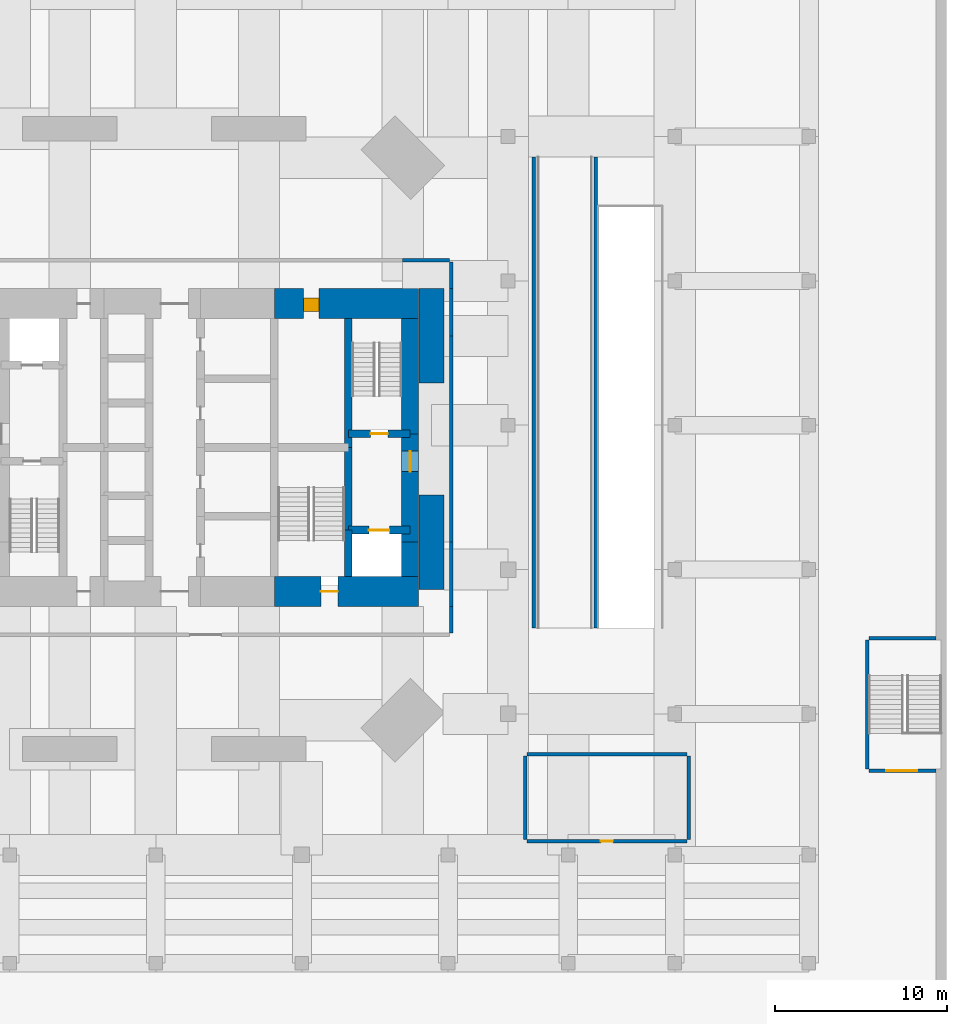
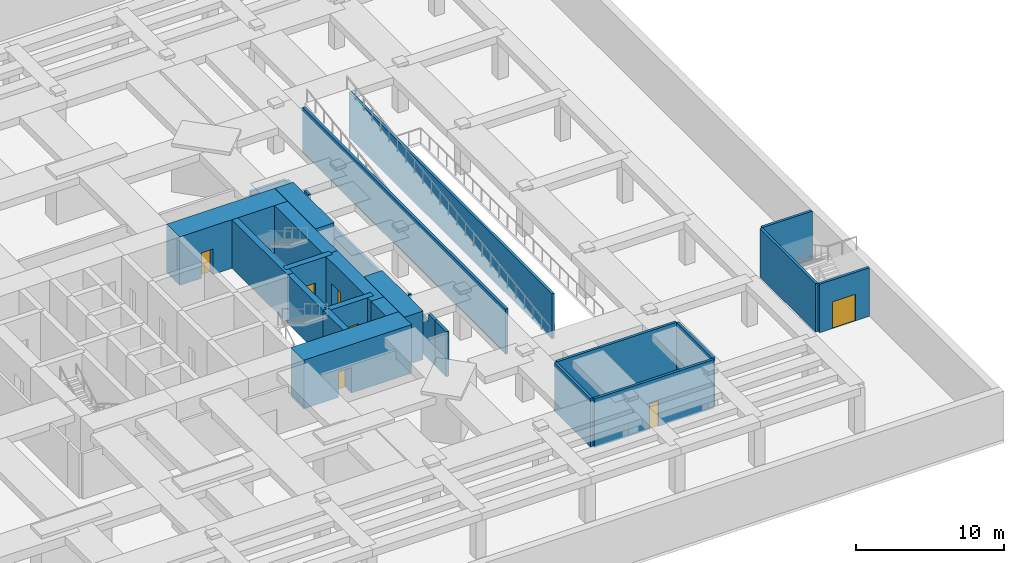
# One storey, part 7 of 10: 27 walls, 7 doors, 7 openings.
"""IFC4 building model written with IfcOpenShell, lengths in metres."""

from ifc_helpers import new_model, si_unit, direction, frame, frame_2d, origin, place, context, subcontext, project, spatial, polyline, rectangle, outline, extrude, material, layer, layer_set, constituent, constituent_set, type_object, element, fill, save


model = new_model("IFC4")

# Units and contexts
model_context = context("Model", 3, precision=1e-05, world=origin(), true_north=direction((0.0, 1.0)))
body_context = subcontext(model_context, "Body", "Model", "MODEL_VIEW")
ifc_project = project(units=[si_unit("LENGTHUNIT", "METRE"), si_unit("AREAUNIT", "SQUARE_METRE"), si_unit("VOLUMEUNIT", "CUBIC_METRE"), si_unit("PLANEANGLEUNIT", "RADIAN"), si_unit("MASSUNIT", "GRAM", prefix="KILO")], contexts=[model_context])

# Site, building, storey
site_placement = place(None, origin())
site = spatial("IfcSite", under=ifc_project, at=site_placement, CompositionType="ELEMENT")
building_placement = place(site_placement, origin())
building = spatial("IfcBuilding", under=site, at=building_placement, Name="Jalousie Tower", CompositionType="ELEMENT")
storey_placement = place(building_placement, frame((0.0, 0.0, -4.0)))
storey = spatial("IfcBuildingStorey", under=building, at=storey_placement, Name="B1", CompositionType="ELEMENT", Elevation=-4.0)

# Wall
ifc_material_1 = material(Name="Concrete f'c 120 MPa", Category="concrete")
ifc_layer_1 = layer(ifc_material_1, 1.0)
ifc_layer_set_1 = layer_set([ifc_layer_1], Name="Concrete f'c 120 MPa")
wall_type_1 = type_object("IfcWallType", Name="CORE WALL 1000", PredefinedType="SHEAR", material=ifc_layer_set_1)
wall_1_placement = place(storey_placement, frame((43.800048828125, 11.0, 0.0), z_axis=(0.0, 0.0, 1.0), x_axis=(0.0, 1.0, 0.0)))
element("IfcWall", 1, at=wall_1_placement, inside=storey, type_object=wall_type_1, Name="Core wall EA B1", PredefinedType="SHEAR", context=body_context, shape_type="SweptSolid", body=[
    extrude(rectangle(XDim=2.0, YDim=1.0, at=frame_2d((1.0, 0.0))), origin(), (0.0, 0.0, 1.0), 4.0),
])

# Wall, opening, door
wall_2_placement = place(storey_placement, frame((43.800048828125, 13.0, 0.0), z_axis=(0.0, 0.0, 1.0), x_axis=(0.0, 1.0, 0.0)))
wall_2 = element("IfcWall", 2, at=wall_2_placement, inside=storey, type_object=wall_type_1, Name="Core wall EB B1", PredefinedType="SHEAR", context=body_context, shape_type="SweptSolid", body=[
    extrude(rectangle(XDim=6.300048828125, YDim=1.0, at=frame_2d((3.14990234375, 0.0))), origin(), (0.0, 0.0, 1.0), 4.0),
])
opening_1_placement = place(wall_2_placement, frame((4.10009765625, 0.0, 0.0)))
opening_1 = element("IfcOpeningElement", 3, at=opening_1_placement, cuts=wall_2, Name="Opening D11", PredefinedType="OPENING", context=body_context, shape_type="SweptSolid", body=[
    extrude(rectangle(XDim=1.199951171875, YDim=2.199951171875, at=frame_2d((0.60009765625, 1.10009765625))), frame((0.0, 0.510009765625, 0.0), z_axis=(0.0, -1.0, 0.0), x_axis=(1.0, 0.0, 0.0)), (0.0, 0.0, 1.0), 1.02001953125),
])
ifc_material_2 = material(Name="Steel fire door", Category="steel")
door_type_1 = type_object("IfcDoorType", Name="FIRE DOOR 1200", OperationType="SINGLE_SWING_LEFT", PredefinedType="DOOR", material=ifc_material_2)
door_1_placement = place(opening_1_placement, origin())
door_1 = element("IfcDoor", 4, at=door_1_placement, inside=storey, type_object=door_type_1, Name="Fire-fighting lobby B door", OperationType="SINGLE_SWING_RIGHT", OverallHeight=2.199951171875, OverallWidth=1.199951171875, PredefinedType="DOOR", context=body_context, shape_type="SweptSolid", body=[
    extrude(rectangle(XDim=1.199951171875, YDim=2.199951171875, at=frame_2d((0.60009765625, 1.10009765625))), frame((0.0, 0.02490234375, 0.0), z_axis=(0.0, -1.0, 0.0), x_axis=(1.0, 0.0, 0.0)), (0.0, 0.0, 1.0), 0.050048828125),
])
fill(opening_1, door_1)

# Wall
wall_3_placement = place(storey_placement, frame((43.800048828125, 19.300048828125, 0.0), z_axis=(0.0, 0.0, 1.0), x_axis=(0.0, 1.0, 0.0)))
element("IfcWall", 5, at=wall_3_placement, inside=storey, type_object=wall_type_1, Name="Core wall EC B1", PredefinedType="SHEAR", context=body_context, shape_type="SweptSolid", body=[
    extrude(rectangle(XDim=6.699951171875, YDim=1.0, at=frame_2d((3.35009765625, 0.0))), origin(), (0.0, 0.0, 1.0), 4.0),
])

# Wall, opening, door
ifc_material_3 = material(Name="Concrete f'c 120 MPa", Category="concrete")
ifc_layer_2 = layer(ifc_material_3, 1.75)
ifc_layer_set_2 = layer_set([ifc_layer_2], Name="Concrete f'c 120 MPa")
wall_type_2 = type_object("IfcWallType", Name="CORE WALL 1750", PredefinedType="SHEAR", material=ifc_layer_set_2)
wall_4_placement = place(storey_placement, frame((35.89990234375, 10.125, 0.0), z_axis=(0.0, 0.0, 1.0), x_axis=(1.0, 0.0, 0.0)))
wall_4 = element("IfcWall", 6, at=wall_4_placement, inside=storey, type_object=wall_type_2, Name="Core wall SD B1", PredefinedType="SHEAR", context=body_context, shape_type="SweptSolid", body=[
    extrude(rectangle(XDim=8.400146484375, YDim=1.75, at=frame_2d((4.2001953125, 0.0))), origin(), (0.0, 0.0, 1.0), 4.0),
])
opening_2_placement = place(wall_4_placement, frame((2.699951171875, 0.0, 0.0)))
opening_2 = element("IfcOpeningElement", 7, at=opening_2_placement, cuts=wall_4, Name="Opening D10", PredefinedType="OPENING", context=body_context, shape_type="SweptSolid", body=[
    extrude(rectangle(XDim=1.0, YDim=2.10009765625, at=frame_2d((0.5, 1.050048828125))), frame((0.0, 0.885009765625, 0.0), z_axis=(0.0, -1.0, 0.0), x_axis=(1.0, 0.0, 0.0)), (0.0, 0.0, 1.0), 1.77001953125),
])
ifc_material_4 = material(Name="Steel fire door", Category="steel")
door_type_2 = type_object("IfcDoorType", Name="STAIR DOOR 1000", OperationType="SINGLE_SWING_LEFT", PredefinedType="DOOR", material=ifc_material_4)
door_2_placement = place(opening_2_placement, origin())
door_2 = element("IfcDoor", 8, at=door_2_placement, inside=storey, type_object=door_type_2, Name="Exit stair C door", OperationType="SINGLE_SWING_RIGHT", OverallHeight=2.10009765625, OverallWidth=1.0, PredefinedType="DOOR", context=body_context, shape_type="SweptSolid", body=[
    extrude(rectangle(XDim=1.0, YDim=2.10009765625, at=frame_2d((0.5, 1.050048828125))), frame((0.0, 0.02490234375, 0.0), z_axis=(0.0, -1.0, 0.0), x_axis=(1.0, 0.0, 0.0)), (0.0, 0.0, 1.0), 0.050048828125),
])
fill(opening_2, door_2)

wall_5_placement = place(storey_placement, frame((44.300048828125, 26.875, 0.0), z_axis=(0.0, 0.0, 1.0), x_axis=(-1.0, 0.0, 0.0)))
wall_5 = element("IfcWall", 9, at=wall_5_placement, inside=storey, type_object=wall_type_2, Name="Core wall NA B1", PredefinedType="SHEAR", context=body_context, shape_type="SweptSolid", body=[
    extrude(rectangle(XDim=8.400146484375, YDim=1.75, at=frame_2d((4.2001953125, 0.0))), origin(), (0.0, 0.0, 1.0), 4.0),
])
opening_3_placement = place(wall_5_placement, frame((5.800048828125, 0.0, 0.0)))
opening_3 = element("IfcOpeningElement", 10, at=opening_3_placement, cuts=wall_5, Name="Opening D18", PredefinedType="OPENING", context=body_context, shape_type="SweptSolid", body=[
    extrude(rectangle(XDim=0.89990234375, YDim=2.10009765625, at=frame_2d((0.449951171875, 1.050048828125))), frame((0.0, 0.885009765625, 0.0), z_axis=(0.0, -1.0, 0.0), x_axis=(1.0, 0.0, 0.0)), (0.0, 0.0, 1.0), 1.77001953125),
])
ifc_material_5 = material(Name="Steel fire door", Category="steel")
door_type_3 = type_object("IfcDoorType", Name="CLEANER'S STORE DOOR 900", OperationType="SINGLE_SWING_LEFT", PredefinedType="DOOR", material=ifc_material_5)
door_3_placement = place(opening_3_placement, origin())
door_3 = element("IfcDoor", 11, at=door_3_placement, inside=storey, type_object=door_type_3, Name="Cleaner's store door", OperationType="SINGLE_SWING_RIGHT", OverallHeight=2.10009765625, OverallWidth=0.89990234375, PredefinedType="DOOR", context=body_context, shape_type="SweptSolid", body=[
    extrude(rectangle(XDim=0.89990234375, YDim=2.10009765625, at=frame_2d((0.449951171875, 1.050048828125))), frame((0.0, 0.47021484375, 0.0), z_axis=(0.0, -1.0, 0.0), x_axis=(1.0, 0.0, 0.0)), (0.0, 0.0, 1.0), 0.800048828125),
])
fill(opening_3, door_3)

# Walls
ifc_material_6 = material(Name="Concrete f'c 120 MPa", Category="concrete")
ifc_layer_3 = layer(ifc_material_6, 0.449951171875)
ifc_layer_set_3 = layer_set([ifc_layer_3], Name="Concrete f'c 120 MPa")
wall_type_3 = type_object("IfcWallType", Name="CORE WALL 450", PredefinedType="SHEAR", material=ifc_layer_set_3)
wall_6_placement = place(storey_placement, frame((40.199951171875, 11.0, 0.0), z_axis=(0.0, 0.0, 1.0), x_axis=(0.0, 1.0, 0.0)))
element("IfcWall", 12, at=wall_6_placement, inside=storey, type_object=wall_type_3, Name="Core wall X40.2A B1", PredefinedType="SHEAR", context=body_context, shape_type="SweptSolid", body=[
    extrude(rectangle(XDim=2.699951171875, YDim=0.449951171875, at=frame_2d((1.35009765625, 0.0))), origin(), (0.0, 0.0, 1.0), 4.0),
])
wall_7_placement = place(storey_placement, frame((40.199951171875, 13.699951171875, 0.0), z_axis=(0.0, 0.0, 1.0), x_axis=(0.0, 1.0, 0.0)))
element("IfcWall", 13, at=wall_7_placement, inside=storey, type_object=wall_type_3, Name="Core wall X40.2B B1", PredefinedType="SHEAR", context=body_context, shape_type="SweptSolid", body=[
    extrude(rectangle(XDim=4.800048828125, YDim=0.449951171875, at=frame_2d((2.39990234375, 0.0))), origin(), (0.0, 0.0, 1.0), 4.0),
])
wall_8_placement = place(storey_placement, frame((40.199951171875, 18.5, 0.0), z_axis=(0.0, 0.0, 1.0), x_axis=(0.0, 1.0, 0.0)))
element("IfcWall", 14, at=wall_8_placement, inside=storey, type_object=wall_type_3, Name="Core wall X40.2C B1", PredefinedType="SHEAR", context=body_context, shape_type="SweptSolid", body=[
    extrude(rectangle(XDim=7.5, YDim=0.449951171875, at=frame_2d((3.75, 0.0))), origin(), (0.0, 0.0, 1.0), 4.0),
])

# Wall, opening, door
wall_9_placement = place(storey_placement, frame((40.199951171875, 13.699951171875, 0.0), z_axis=(0.0, 0.0, 1.0), x_axis=(1.0, 0.0, 0.0)))
wall_9 = element("IfcWall", 15, at=wall_9_placement, inside=storey, type_object=wall_type_3, Name="Core wall Y40.2-13.7 B1", PredefinedType="SHEAR", context=body_context, shape_type="SweptSolid", body=[
    extrude(rectangle(XDim=3.60009765625, YDim=0.449951171875, at=frame_2d((1.800048828125, 0.0))), origin(), (0.0, 0.0, 1.0), 4.0),
])
opening_4_placement = place(wall_9_placement, frame((1.199951171875, 0.0, 0.0)))
opening_4 = element("IfcOpeningElement", 16, at=opening_4_placement, cuts=wall_9, Name="Opening LD2", PredefinedType="OPENING", context=body_context, shape_type="SweptSolid", body=[
    extrude(rectangle(XDim=1.199951171875, YDim=2.10009765625, at=frame_2d((0.60009765625, 1.050048828125))), frame((0.0, 0.23486328125, 0.0), z_axis=(0.0, -1.0, 0.0), x_axis=(1.0, 0.0, 0.0)), (0.0, 0.0, 1.0), 0.469970703125),
])
ifc_material_7 = material(Name="Steel lift landing door", Category="steel")
door_type_4 = type_object("IfcDoorType", Name="LIFT LANDING DOOR 1200", OperationType="SLIDING_TO_LEFT", PredefinedType="DOOR", material=ifc_material_7)
door_4_placement = place(opening_4_placement, origin())
door_4 = element("IfcDoor", 17, at=door_4_placement, inside=storey, type_object=door_type_4, Name="Lift F2 landing door", OperationType="SLIDING_TO_LEFT", OverallHeight=2.10009765625, OverallWidth=1.199951171875, PredefinedType="DOOR", context=body_context, shape_type="SweptSolid", body=[
    extrude(rectangle(XDim=1.199951171875, YDim=2.10009765625, at=frame_2d((0.60009765625, 1.050048828125))), frame((0.0, 0.02490234375, 0.0), z_axis=(0.0, -1.0, 0.0), x_axis=(1.0, 0.0, 0.0)), (0.0, 0.0, 1.0), 0.050048828125),
])
fill(opening_4, door_4)

wall_10_placement = place(storey_placement, frame((40.199951171875, 19.300048828125, 0.0), z_axis=(0.0, 0.0, 1.0), x_axis=(1.0, 0.0, 0.0)))
wall_10 = element("IfcWall", 18, at=wall_10_placement, inside=storey, type_object=wall_type_3, Name="Core wall Y40.2-19.3 B1", PredefinedType="SHEAR", context=body_context, shape_type="SweptSolid", body=[
    extrude(rectangle(XDim=3.60009765625, YDim=0.449951171875, at=frame_2d((1.800048828125, 0.0))), origin(), (0.0, 0.0, 1.0), 4.0),
])
opening_5_placement = place(wall_10_placement, frame((1.300048828125, 0.0, 0.0)))
opening_5 = element("IfcOpeningElement", 19, at=opening_5_placement, cuts=wall_10, Name="Opening D10", PredefinedType="OPENING", context=body_context, shape_type="SweptSolid", body=[
    extrude(rectangle(XDim=1.0, YDim=2.10009765625, at=frame_2d((0.5, 1.050048828125))), frame((0.0, 0.23486328125, 0.0), z_axis=(0.0, -1.0, 0.0), x_axis=(1.0, 0.0, 0.0)), (0.0, 0.0, 1.0), 0.469970703125),
])
door_5_placement = place(opening_5_placement, origin())
door_5 = element("IfcDoor", 20, at=door_5_placement, inside=storey, type_object=door_type_2, Name="Exit stair B door", OperationType="SINGLE_SWING_RIGHT", OverallHeight=2.10009765625, OverallWidth=1.0, PredefinedType="DOOR", context=body_context, shape_type="SweptSolid", body=[
    extrude(rectangle(XDim=1.0, YDim=2.10009765625, at=frame_2d((0.5, 1.050048828125))), frame((0.0, 0.02490234375, 0.0), z_axis=(0.0, -1.0, 0.0), x_axis=(1.0, 0.0, 0.0)), (0.0, 0.0, 1.0), 0.050048828125),
])
fill(opening_5, door_5)

# Walls
ifc_material_8 = material(Name="Concrete block ASTM C90", Category="concrete")
ifc_constituent_1 = constituent(ifc_material_8, Name="Body")
ifc_material_9 = material(Name="Render")
ifc_constituent_2 = constituent(ifc_material_9, Name="Finish")
ifc_constituent_set_1 = constituent_set(constituents=[ifc_constituent_1, ifc_constituent_2])
wall_type_4 = type_object("IfcWallType", Name="CORRIDOR WALL 200", PredefinedType="PARTITIONING", material=ifc_constituent_set_1)
wall_11_placement = place(storey_placement, frame((46.199951171875, 7.699951171875, 0.0), z_axis=(0.0, 0.0, 1.0), x_axis=(0.0, 1.0, 0.0)))
element("IfcWall", 21, at=wall_11_placement, inside=storey, type_object=wall_type_4, Name="Corridor Wall 200 B1", PredefinedType="PARTITIONING", context=body_context, shape_type="SweptSolid", body=[
    extrude(rectangle(XDim=1.550048828125, YDim=0.199951171875, at=frame_2d((0.77490234375, 0.0))), origin(), (0.0, 0.0, 1.0), 3.719970703125),
])
wall_12_placement = place(storey_placement, frame((46.199951171875, 27.75, 0.0), z_axis=(0.0, 0.0, 1.0), x_axis=(0.0, 1.0, 0.0)))
element("IfcWall", 22, at=wall_12_placement, inside=storey, type_object=wall_type_4, Name="Corridor Wall 200 B1", PredefinedType="PARTITIONING", context=body_context, shape_type="SweptSolid", body=[
    extrude(outline(polyline([(0.0, 0.0), (1.550048828125, 0.0), (1.550048828125, 3.719970703125), (1.550048828125, 3.1201171875), (0.0, 3.1201171875), (0.0, 3.719970703125), (0.0, 0.0)])), frame((0.0, 0.10009765625, 0.0), z_axis=(0.0, -1.0, 0.0), x_axis=(1.0, 0.0, 0.0)), (0.0, 0.0, 1.0), 0.199951171875),
])
wall_13_placement = place(storey_placement, frame((46.199951171875, 9.25, 0.0), z_axis=(0.0, 0.0, 1.0), x_axis=(0.0, 1.0, 0.0)))
element("IfcWall", 23, at=wall_13_placement, inside=storey, type_object=wall_type_4, Name="Corridor Wall 200 B1-A", PredefinedType="PARTITIONING", context=body_context, shape_type="SweptSolid", body=[
    extrude(outline(polyline([(0.0, 0.0), (3.75, 0.0), (3.75, 3.1201171875), (3.639892578125, 3.1201171875), (3.639892578125, 3.719970703125), (3.4599609375, 3.719970703125), (3.4599609375, 3.1201171875), (0.840087890625, 3.1201171875), (0.840087890625, 3.719970703125), (0.0, 3.719970703125), (0.0, 0.0)])), frame((0.0, 0.10009765625, 0.0), z_axis=(0.0, -1.0, 0.0), x_axis=(1.0, 0.0, 0.0)), (0.0, 0.0, 1.0), 0.199951171875),
])
wall_14_placement = place(storey_placement, frame((46.199951171875, 13.0, 0.0), z_axis=(0.0, 0.0, 1.0), x_axis=(0.0, 1.0, 0.0)))
element("IfcWall", 24, at=wall_14_placement, inside=storey, type_object=wall_type_4, Name="Corridor Wall 200 B1-B", PredefinedType="PARTITIONING", context=body_context, shape_type="SweptSolid", body=[
    extrude(rectangle(XDim=12.0, YDim=0.199951171875, at=frame_2d((6.0, 0.0))), origin(), (0.0, 0.0, 1.0), 3.1201171875),
])
wall_15_placement = place(storey_placement, frame((46.199951171875, 25.0, 0.0), z_axis=(0.0, 0.0, 1.0), x_axis=(0.0, 1.0, 0.0)))
element("IfcWall", 25, at=wall_15_placement, inside=storey, type_object=wall_type_4, Name="Corridor Wall 200 B1-C", PredefinedType="PARTITIONING", context=body_context, shape_type="SweptSolid", body=[
    extrude(outline(polyline([(0.0, 0.0), (2.75, 0.0), (2.75, 3.1201171875), (1.889892578125, 3.1201171875), (1.889892578125, 3.719970703125), (1.31005859375, 3.719970703125), (1.31005859375, 3.1201171875), (0.0, 3.1201171875), (0.0, 0.0)])), frame((0.0, 0.10009765625, 0.0), z_axis=(0.0, -1.0, 0.0), x_axis=(1.0, 0.0, 0.0)), (0.0, 0.0, 1.0), 0.199951171875),
])
wall_16_placement = place(storey_placement, frame((43.36865234375, 29.39990234375, 0.0), z_axis=(0.0, 0.0, 1.0), x_axis=(1.0, 0.0, 0.0)))
element("IfcWall", 26, at=wall_16_placement, inside=storey, type_object=wall_type_4, Name="Corridor Wall 200 B1-B", PredefinedType="PARTITIONING", context=body_context, shape_type="SweptSolid", body=[
    extrude(rectangle(XDim=2.7314453125, YDim=0.199951171875, at=frame_2d((1.36572265625, 0.0))), origin(), (0.0, 0.0, 1.0), 3.1201171875),
])
ifc_material_10 = material(Name="Concrete f'c 40 MPa", Category="concrete")
ifc_layer_4 = layer(ifc_material_10, 0.199951171875)
ifc_layer_set_4 = layer_set([ifc_layer_4], Name="Concrete f'c 40 MPa")
wall_type_5 = type_object("IfcWallType", Name="RAMP WALL 200", PredefinedType="SOLIDWALL", material=ifc_layer_set_4)
for number, where, z_axis, x_axis, name in (
    (27, (51.0, 8.0, 0.0), (0.0, 0.0, 1.0), (0.0, 1.0, 0.0), "Ramp side wall 1"),
    (28, (54.60009765625, 8.0, 0.0), (0.0, 0.0, 1.0), (0.0, 1.0, 0.0), "Ramp side wall 1"),
):
    element("IfcWall", number, at=place(storey_placement, frame(where, z_axis=z_axis, x_axis=x_axis)), inside=storey, type_object=wall_type_5, Name=name, PredefinedType="SOLIDWALL", context=body_context, shape_type="SweptSolid", body=[
        extrude(rectangle(XDim=27.39990234375, YDim=0.199951171875, at=frame_2d((13.699951171875, 0.0))), origin(), (0.0, 0.0, 1.0), 3.719970703125),
    ])
ifc_material_11 = material(Name="Concrete f'c 120 MPa", Category="concrete")
ifc_layer_5 = layer(ifc_material_11, 1.449951171875)
ifc_layer_set_5 = layer_set([ifc_layer_5], Name="Concrete f'c 120 MPa")
wall_type_6 = type_object("IfcWallType", Name="RC WALL PIER 1450", PredefinedType="SHEAR", material=ifc_layer_set_5)
for number, where, z_axis, x_axis, name in (
    (29, (45.050048828125, 10.25, 0.0), (0.0, 0.0, 1.0), (0.0, 1.0, 0.0), "Wall pier 06 B1"),
    (30, (45.050048828125, 22.25, 0.0), (0.0, 0.0, 1.0), (0.0, 1.0, 0.0), "Wall pier 07 B1"),
):
    element("IfcWall", number, at=place(storey_placement, frame(where, z_axis=z_axis, x_axis=x_axis)), inside=storey, type_object=wall_type_6, Name=name, PredefinedType="SHEAR", context=body_context, shape_type="SweptSolid", body=[
        extrude(rectangle(XDim=5.5, YDim=1.449951171875, at=frame_2d((2.75, 0.0))), origin(), (0.0, 0.0, 1.0), 4.0),
    ])
ifc_material_12 = material(Name="Concrete block ASTM C90", Category="concrete")
ifc_constituent_3 = constituent(ifc_material_12, Name="Body")
ifc_material_13 = material(Name="Render")
ifc_constituent_4 = constituent(ifc_material_13, Name="Finish")
ifc_constituent_set_2 = constituent_set(constituents=[ifc_constituent_3, ifc_constituent_4])
wall_type_7 = type_object("IfcWallType", Name="STAIR WALL 200", PredefinedType="SOLIDWALL", material=ifc_constituent_set_2)
wall_17_placement = place(storey_placement, frame((50.5, -4.300048828125, 0.0), z_axis=(0.0, 0.0, 1.0), x_axis=(0.0, 1.0, 0.0)))
element("IfcWall", 31, at=wall_17_placement, inside=storey, type_object=wall_type_7, Name="Stair Wall 200 B1", PredefinedType="SOLIDWALL", context=body_context, shape_type="SweptSolid", body=[
    extrude(rectangle(XDim=4.85009765625, YDim=0.199951171875, at=frame_2d((2.425048828125, 0.0))), origin(), (0.0, 0.0, 1.0), 4.0),
])
wall_18_placement = place(storey_placement, frame((70.39990234375, -0.199951171875, 0.0), z_axis=(0.0, 0.0, 1.0), x_axis=(0.0, 1.0, 0.0)))
element("IfcWall", 32, at=wall_18_placement, inside=storey, type_object=wall_type_7, Name="Stair Wall 200 B1", PredefinedType="SOLIDWALL", context=body_context, shape_type="SweptSolid", body=[
    extrude(rectangle(XDim=7.5, YDim=0.199951171875, at=frame_2d((3.75, 0.0))), origin(), (0.0, 0.0, 1.0), 4.0),
])
wall_19_placement = place(storey_placement, frame((60.0, -4.300048828125, 0.0), z_axis=(0.0, 0.0, 1.0), x_axis=(0.0, 1.0, 0.0)))
element("IfcWall", 33, at=wall_19_placement, inside=storey, type_object=wall_type_7, Name="Stair Wall 200 B1", PredefinedType="SOLIDWALL", context=body_context, shape_type="SweptSolid", body=[
    extrude(rectangle(XDim=4.85009765625, YDim=0.199951171875, at=frame_2d((2.425048828125, 0.0))), origin(), (0.0, 0.0, 1.0), 4.0),
])

# Wall, opening, door
wall_20_placement = place(storey_placement, frame((50.60009765625, -4.39990234375, 0.0), z_axis=(0.0, 0.0, 1.0), x_axis=(1.0, 0.0, 0.0)))
wall_20 = element("IfcWall", 34, at=wall_20_placement, inside=storey, type_object=wall_type_7, Name="Stair Wall 200 B1", PredefinedType="SOLIDWALL", context=body_context, shape_type="SweptSolid", body=[
    extrude(rectangle(XDim=9.2998046875, YDim=0.199951171875, at=frame_2d((4.64990234375, 0.0))), origin(), (0.0, 0.0, 1.0), 4.0),
])
opening_6_placement = place(wall_20_placement, frame((4.300048828125, 0.0, 0.0)))
opening_6 = element("IfcOpeningElement", 35, at=opening_6_placement, cuts=wall_20, Name="Opening D23", PredefinedType="OPENING", context=body_context, shape_type="SweptSolid", body=[
    extrude(rectangle(XDim=0.699951171875, YDim=2.10009765625, at=frame_2d((0.35009765625, 1.050048828125))), frame((0.0, 0.10986328125, 0.0), z_axis=(0.0, -1.0, 0.0), x_axis=(1.0, 0.0, 0.0)), (0.0, 0.0, 1.0), 0.219970703125),
])
ifc_material_14 = material(Name="Steel fire door", Category="steel")
door_type_5 = type_object("IfcDoorType", Name="STAIR STORE DOOR 700", OperationType="SINGLE_SWING_LEFT", PredefinedType="DOOR", material=ifc_material_14)
door_6_placement = place(opening_6_placement, origin())
door_6 = element("IfcDoor", 36, at=door_6_placement, inside=storey, type_object=door_type_5, Name="Store door", OperationType="SINGLE_SWING_RIGHT", OverallHeight=2.10009765625, OverallWidth=0.699951171875, PredefinedType="DOOR", context=body_context, shape_type="SweptSolid", body=[
    extrude(rectangle(XDim=0.699951171875, YDim=2.10009765625, at=frame_2d((0.35009765625, 1.050048828125))), frame((0.0, 0.02490234375, 0.0), z_axis=(0.0, -1.0, 0.0), x_axis=(1.0, 0.0, 0.0)), (0.0, 0.0, 1.0), 0.050048828125),
])
fill(opening_6, door_6)

# Wall
wall_21_placement = place(storey_placement, frame((50.60009765625, 0.64990234375, 0.0), z_axis=(0.0, 0.0, 1.0), x_axis=(1.0, 0.0, 0.0)))
element("IfcWall", 37, at=wall_21_placement, inside=storey, type_object=wall_type_7, Name="Stair Wall 200 B1", PredefinedType="SOLIDWALL", context=body_context, shape_type="SweptSolid", body=[
    extrude(rectangle(XDim=9.2998046875, YDim=0.199951171875, at=frame_2d((4.64990234375, 0.0))), origin(), (0.0, 0.0, 1.0), 4.0),
])

# Wall, opening, door
wall_22_placement = place(storey_placement, frame((70.5, -0.300048828125, 0.0), z_axis=(0.0, 0.0, 1.0), x_axis=(1.0, 0.0, 0.0)))
wall_22 = element("IfcWall", 38, at=wall_22_placement, inside=storey, type_object=wall_type_7, Name="Stair Wall 200 B1", PredefinedType="SOLIDWALL", context=body_context, shape_type="SweptSolid", body=[
    extrude(rectangle(XDim=3.89990234375, YDim=0.199951171875, at=frame_2d((1.949951171875, 0.0))), origin(), (0.0, 0.0, 1.0), 4.0),
])
opening_7_placement = place(wall_22_placement, frame((1.0, 0.0, 0.0)))
opening_7 = element("IfcOpeningElement", 39, at=opening_7_placement, cuts=wall_22, Name="Opening D17", PredefinedType="OPENING", context=body_context, shape_type="SweptSolid", body=[
    extrude(rectangle(XDim=1.800048828125, YDim=2.199951171875, at=frame_2d((0.89990234375, 1.10009765625))), frame((0.0, 0.10986328125, 0.0), z_axis=(0.0, -1.0, 0.0), x_axis=(1.0, 0.0, 0.0)), (0.0, 0.0, 1.0), 0.219970703125),
])
ifc_material_15 = material(Name="Steel fire door", Category="steel")
door_type_6 = type_object("IfcDoorType", Name="STAIR DOOR 1800", OperationType="DOUBLE_DOOR_SINGLE_SWING", PredefinedType="DOOR", material=ifc_material_15)
door_7_placement = place(opening_7_placement, origin())
door_7 = element("IfcDoor", 40, at=door_7_placement, inside=storey, type_object=door_type_6, Name="Stair BS2 door", OperationType="DOUBLE_DOOR_SINGLE_SWING", OverallHeight=2.199951171875, OverallWidth=1.800048828125, PredefinedType="DOOR", context=body_context, shape_type="SweptSolid", body=[
    extrude(rectangle(XDim=1.800048828125, YDim=2.199951171875, at=frame_2d((0.89990234375, 1.10009765625))), frame((0.0, 0.02490234375, 0.0), z_axis=(0.0, -1.0, 0.0), x_axis=(1.0, 0.0, 0.0)), (0.0, 0.0, 1.0), 0.050048828125),
])
fill(opening_7, door_7)

# Wall
wall_23_placement = place(storey_placement, frame((70.5, 7.39990234375, 0.0), z_axis=(0.0, 0.0, 1.0), x_axis=(1.0, 0.0, 0.0)))
element("IfcWall", 41, at=wall_23_placement, inside=storey, type_object=wall_type_7, Name="Stair Wall 200 B1", PredefinedType="SOLIDWALL", context=body_context, shape_type="SweptSolid", body=[
    extrude(rectangle(XDim=3.89990234375, YDim=0.199951171875, at=frame_2d((1.949951171875, 0.0))), origin(), (0.0, 0.0, 1.0), 4.0),
])

save(model, "model.ifc")
